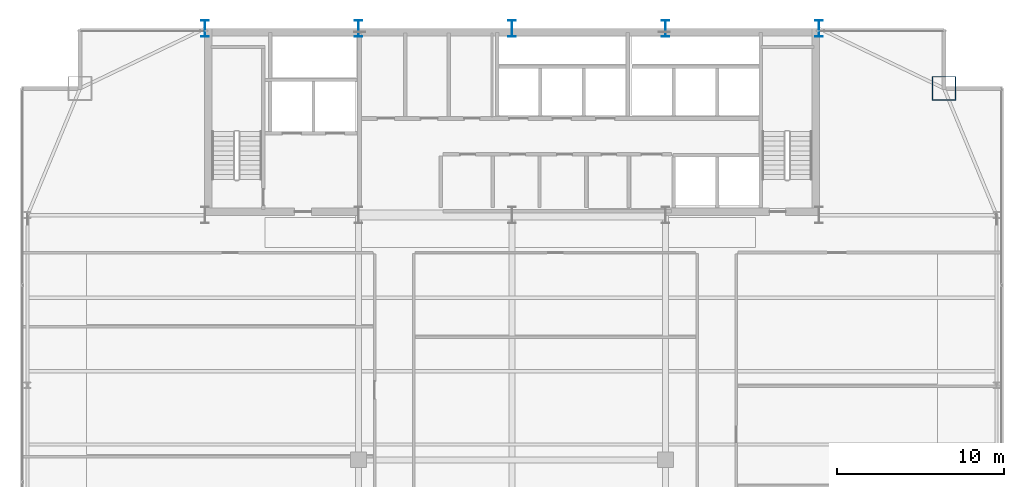
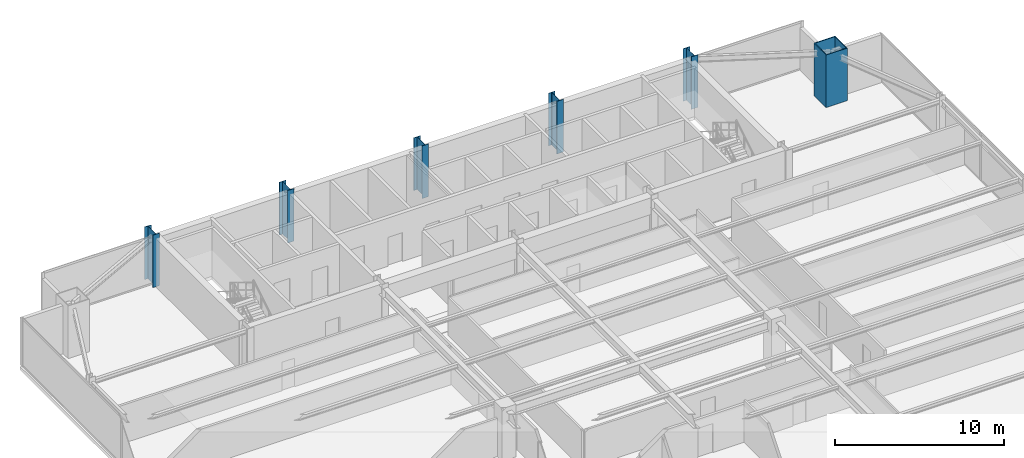
# One storey, part 3 of 33: 6 columns.
"""IFC4 building model written with IfcOpenShell, lengths in metres."""

import ifcopenshell
import ifcopenshell.guid

model = None  # the IFC model being written
_history = None  # IfcOwnerHistory: only IFC2X3 demands one
_inside = {}  # id of a spatial element -> (the spatial element, [elements in it])
_under = {}  # id of a project, library or spatial element -> (it, [spatial elements below it])
_declared = {}  # id of a project -> (the project, [libraries it declares])
_typed = {}  # id of a type object -> (the type object, [elements of that type])
_made_of = {}  # id of a material, layer set ... -> (it, [elements and type objects made of it])


def new_model(schema):
    """Start an empty IFC model of exactly this schema.

    Asked for "IFC4X3", IfcOpenShell would pick the latest addendum, in which some entities
    have other attributes; the version numbers below select the first issue.
    IFC2X3 requires an IfcOwnerHistory on every rooted entity: one is made here for all.
    """
    global model, _history
    if schema == "IFC4X3":
        model = ifcopenshell.file(schema_version=(4, 3, 0, 0))
    else:
        model = ifcopenshell.file(schema=schema)
    _inside.clear()
    _under.clear()
    _declared.clear()
    _typed.clear()
    _made_of.clear()
    _history = None
    if model.schema == "IFC2X3":
        org = make("IfcOrganization", Name="unknown")
        user = make(
            "IfcPersonAndOrganization",
            ThePerson=make("IfcPerson", FamilyName="unknown"),
            TheOrganization=org,
        )
        app = make(
            "IfcApplication",
            ApplicationDeveloper=org,
            Version="unknown",
            ApplicationFullName="unknown",
            ApplicationIdentifier="unknown",
        )
        _history = make(
            "IfcOwnerHistory",
            OwningUser=user,
            OwningApplication=app,
            ChangeAction="ADDED",
            CreationDate=0,
        )
    return model


def make(cls, **values):
    """One entity of the class cls with the attributes given. An attribute that is None is left unset."""
    return model.create_entity(
        cls, **{name: value for name, value in values.items() if value is not None}
    )


def rooted(cls, **values):
    """An entity with a GlobalId (a new one), such as an element, a storey or a relation."""
    return make(cls, GlobalId=ifcopenshell.guid.new(), OwnerHistory=_history, **values)


def si_unit(unit_type, name, prefix=None):
    """IfcSIUnit, for example si_unit("LENGTHUNIT", "METRE", prefix="MILLI")."""
    return make("IfcSIUnit", UnitType=unit_type, Prefix=prefix, Name=name)


def assignment(units):
    """IfcUnitAssignment: the units of a project."""
    return None if units is None else make("IfcUnitAssignment", Units=units)


def point(xyz):
    """IfcCartesianPoint."""
    return None if xyz is None else make("IfcCartesianPoint", Coordinates=xyz)


def direction(xyz):
    """IfcDirection."""
    return None if xyz is None else make("IfcDirection", DirectionRatios=xyz)


def frame(location, z_axis=None, x_axis=None):
    """IfcAxis2Placement3D, a coordinate frame: its origin and axes. An axis left out is left unset."""
    return make(
        "IfcAxis2Placement3D",
        Location=point(location),
        Axis=direction(z_axis),
        RefDirection=direction(x_axis),
    )


def frame_2d(location, x_axis=None):
    """IfcAxis2Placement2D, a coordinate frame in the plane: its origin and x axis."""
    return make(
        "IfcAxis2Placement2D", Location=point(location), RefDirection=direction(x_axis)
    )


def origin():
    """The frame at (0, 0, 0) with its axes left unset."""
    return frame((0.0, 0.0, 0.0))


def origin_2d():
    """The frame at (0, 0) in the plane with its x axis left unset."""
    return frame_2d((0.0, 0.0))


def place(relative_to, where):
    """IfcLocalPlacement: puts the frame where relative to a parent placement (None: the world)."""
    return make(
        "IfcLocalPlacement", PlacementRelTo=relative_to, RelativePlacement=where
    )


def context(
    kind, dimensions, precision=None, world=None, true_north=None, identifier=None
):
    """IfcGeometricRepresentationContext, for example the 3D "Model" context."""
    return make(
        "IfcGeometricRepresentationContext",
        ContextIdentifier=identifier,
        ContextType=kind,
        CoordinateSpaceDimension=dimensions,
        Precision=precision,
        WorldCoordinateSystem=world,
        TrueNorth=true_north,
    )


def subcontext(parent, identifier, kind, view, scale=None):
    """IfcGeometricRepresentationSubContext, for example "Body" below "Model"."""
    return make(
        "IfcGeometricRepresentationSubContext",
        ContextIdentifier=identifier,
        ContextType=kind,
        ParentContext=parent,
        TargetScale=scale,
        TargetView=view,
    )


def project(units=None, contexts=None):
    """IfcProject with its units and contexts."""
    return rooted(
        "IfcProject",
        Name="project",
        RepresentationContexts=contexts,
        UnitsInContext=assignment(units),
    )


def spatial(cls, under=None, at=None, **own):
    """A site, building, storey or space (cls), placed at a placement, below another one or the project."""
    s = rooted(cls, ObjectPlacement=at, **own)
    if under is not None:
        _under.setdefault(under.id(), (under, []))[1].append(s)
    return s


def profile(cls, at=None, kind="AREA", **sizes):
    """A parametric profile (cls). Its sizes go by their IFC names, for example OverallWidth=200.0."""
    return make(cls, ProfileType=kind, Position=at, **sizes)


def hollow_rectangle(**sizes):
    """IfcRectangleHollowProfileDef."""
    return profile("IfcRectangleHollowProfileDef", **sizes)


def i_section(**sizes):
    """IfcIShapeProfileDef."""
    return profile("IfcIShapeProfileDef", **sizes)


def extrude(swept, where, along, depth):
    """IfcExtrudedAreaSolid: the profile swept, set in the frame where, extruded along a direction by depth."""
    return make(
        "IfcExtrudedAreaSolid",
        SweptArea=swept,
        Position=where,
        ExtrudedDirection=direction(along),
        Depth=depth,
    )


def shape(context_of_items, identifier, shape_type, items):
    """IfcShapeRepresentation: the items that make up one representation, for example the "Body"."""
    return make(
        "IfcShapeRepresentation",
        ContextOfItems=context_of_items,
        RepresentationIdentifier=identifier,
        RepresentationType=shape_type,
        Items=items,
    )


def source(mapping_origin, context_of_items, identifier, shape_type, items):
    """IfcRepresentationMap: a shape defined once, which mapped items show again and again."""
    return make(
        "IfcRepresentationMap",
        MappingOrigin=mapping_origin,
        MappedRepresentation=shape(context_of_items, identifier, shape_type, items),
    )


def transform(
    local_origin,
    x_axis=None,
    y_axis=None,
    z_axis=None,
    scale=None,
    scale2=None,
    scale3=None,
    uniform=True,
):
    """IfcCartesianTransformationOperator3D, or its non-uniform kind. x_axis, y_axis, z_axis: its Axis1, 2, 3."""
    if uniform:
        return make(
            "IfcCartesianTransformationOperator3D",
            Axis1=direction(x_axis),
            Axis2=direction(y_axis),
            LocalOrigin=point(local_origin),
            Scale=scale,
            Axis3=direction(z_axis),
        )
    return make(
        "IfcCartesianTransformationOperator3DnonUniform",
        Axis1=direction(x_axis),
        Axis2=direction(y_axis),
        LocalOrigin=point(local_origin),
        Scale=scale,
        Axis3=direction(z_axis),
        Scale2=scale2,
        Scale3=scale3,
    )


def mapped(mapping_source, mapping_target):
    """IfcMappedItem: shows the shape of a source again, moved by a transform."""
    return make(
        "IfcMappedItem", MappingSource=mapping_source, MappingTarget=mapping_target
    )


def material(Name=None, Category=None):
    """IfcMaterial."""
    return make("IfcMaterial", Name=Name, Category=Category)


def material_profile(
    of_material, cross_section, Name=None, Category=None, Priority=None
):
    """IfcMaterialProfile: a cross section and its material."""
    return make(
        "IfcMaterialProfile",
        Name=Name,
        Material=of_material,
        Profile=cross_section,
        Priority=Priority,
        Category=Category,
    )


def profile_set(profiles, Name=None, composite=None):
    """IfcMaterialProfileSet."""
    return make(
        "IfcMaterialProfileSet",
        Name=Name,
        MaterialProfiles=profiles,
        CompositeProfile=composite,
    )


def made_of(thing, what):
    """Note that an element or type object is made of a material, layer set ...; save() writes the relation."""
    if what is not None:
        _made_of.setdefault(what.id(), (what, []))[1].append(thing)
    return thing


def type_object(cls, material=None, **own):
    """A type object (cls), such as IfcWallType, which elements share."""
    return made_of(rooted(cls, **own), material)


def type_shapes(of_type, sources):
    """Give a type object the sources (RepresentationMaps) that its elements show as mapped items."""
    of_type.RepresentationMaps = sources


def element(
    cls,
    number,
    at=None,
    inside=None,
    cuts=None,
    type_object=None,
    material=None,
    context=None,
    identifier="Body",
    shape_type=None,
    held_by="IfcProductDefinitionShape",
    body=None,
    shapes=None,
    **own,
):
    """One element of the class cls, such as IfcWall. Its Tag is "e" and its number.

    at: its placement. inside: the storey or other place that contains it. cuts: it is an
    opening in that element (IfcRelVoidsElement). A single representation is given by context,
    identifier, shape_type and body (its items); several are given by shapes. held_by: the class
    of the entity that holds the representations. save() writes the other relations.
    """
    e = rooted(cls, Tag="e%d" % number, ObjectPlacement=at, **own)
    if body is not None:
        shapes = [shape(context, identifier, shape_type, body)]
    if shapes is not None:
        e.Representation = make(held_by, Representations=shapes)
    if inside is not None:
        _inside.setdefault(inside.id(), (inside, []))[1].append(e)
    if cuts is not None:
        rooted(
            "IfcRelVoidsElement", RelatingBuildingElement=cuts, RelatedOpeningElement=e
        )
    if type_object is not None:
        _typed.setdefault(type_object.id(), (type_object, []))[1].append(e)
    return made_of(e, material)


def aggregate(whole, parts):
    """IfcRelAggregates: a whole, such as a stair, and the parts it consists of."""
    return rooted("IfcRelAggregates", RelatingObject=whole, RelatedObjects=parts)


def save(model, path):
    """Write the relations noted so far, then the file.

    IfcRelAggregates (storeys below a building ...), IfcRelContainedInSpatialStructure (elements
    in a storey), IfcRelDefinesByType, IfcRelAssociatesMaterial and IfcRelDeclares: one each for
    every whole, place, type object, material and project.
    """
    for whole, parts in _under.values():
        aggregate(whole, parts)
    for where, things in _inside.values():
        rooted(
            "IfcRelContainedInSpatialStructure",
            RelatedElements=things,
            RelatingStructure=where,
        )
    for kind, things in _typed.values():
        rooted("IfcRelDefinesByType", RelatedObjects=things, RelatingType=kind)
    for what, things in _made_of.values():
        rooted("IfcRelAssociatesMaterial", RelatedObjects=things, RelatingMaterial=what)
    for by, libraries in _declared.values():
        rooted("IfcRelDeclares", RelatingContext=by, RelatedDefinitions=libraries)
    model.write(path)


model = new_model("IFC4")

# Units and contexts
model_context = context("Model", 3, precision=1e-05, world=origin(), true_north=direction((0.0, 1.0)))
body_context = subcontext(model_context, "Body", "Model", "MODEL_VIEW")
ifc_project = project(units=[si_unit("LENGTHUNIT", "METRE"), si_unit("AREAUNIT", "SQUARE_METRE"), si_unit("VOLUMEUNIT", "CUBIC_METRE"), si_unit("PLANEANGLEUNIT", "RADIAN"), si_unit("MASSUNIT", "GRAM", prefix="KILO")], contexts=[model_context])

# Site, building, storey
site_placement = place(None, origin())
site = spatial("IfcSite", under=ifc_project, at=site_placement, CompositionType="ELEMENT")
building_placement = place(site_placement, origin())
building = spatial("IfcBuilding", under=site, at=building_placement, Name="Varnel Quay Broadcast Tower", CompositionType="ELEMENT")
storey_placement = place(building_placement, frame((0.0, 0.0, 137.199951171875)))
storey = spatial("IfcBuildingStorey", under=building, at=storey_placement, Name="L33", CompositionType="ELEMENT", Elevation=137.199951171875)

# Columns
ifc_material = material(Name="Structural Steel CSA G40.21 350WT", Category="steel")
ifc_material_profile_1 = material_profile(ifc_material, i_section(OverallWidth=0.449951171875, OverallDepth=1.0, WebThickness=0.01611328125, FlangeThickness=0.030029296875, FilletRadius=0.01611328125, at=origin_2d()), Name="WWF1000X362")
ifc_profile_set_1 = profile_set([ifc_material_profile_1], Name="Structural Steel CSA G40.21 350WT")
column_type_1 = type_object("IfcColumnType", Name="Col_WWF1000X362", PredefinedType="COLUMN", material=ifc_profile_set_1)
shared_shape_1 = source(origin(), body_context, "Body", "SweptSolid", [
    extrude(i_section(OverallWidth=0.449951171875, OverallDepth=1.0, WebThickness=0.01611328125, FlangeThickness=0.030029296875, FilletRadius=0.01611328125, at=origin_2d()), origin(), (0.0, 0.0, 1.0), 3.800048828125),
])
type_shapes(column_type_1, [shared_shape_1])
for number, where, z_axis, x_axis, name in (
    (1, (15.60009765625, 46.800048828125, 0.0), (0.0, 0.0, 1.0), (1.0, 0.0, 0.0), "L33 Column CC-N1"),
    (2, (24.800048828125, 46.800048828125, 0.0), (0.0, 0.0, 1.0), (1.0, 0.0, 0.0), "L33 Column CC-N2"),
    (3, (34.0, 46.800048828125, 0.0), (0.0, 0.0, 1.0), (1.0, 0.0, 0.0), "L33 Column CC-N3"),
    (4, (43.199951171875, 46.800048828125, 0.0), (0.0, 0.0, 1.0), (1.0, 0.0, 0.0), "L33 Column CC-N4"),
    (5, (52.39990234375, 46.800048828125, 0.0), (0.0, 0.0, 1.0), (1.0, 0.0, 0.0), "L33 Column CC-N5"),
):
    element("IfcColumn", number, at=place(storey_placement, frame(where, z_axis=z_axis, x_axis=x_axis)), inside=storey, type_object=column_type_1, Name=name, PredefinedType="COLUMN", context=body_context, shape_type="MappedRepresentation", body=[
        mapped(shared_shape_1, transform((0.0, 0.0, 0.0), x_axis=(1.0, 0.0, 0.0), y_axis=(0.0, 1.0, 0.0), z_axis=(0.0, 0.0, 1.0), scale=1.0)),
    ])
ifc_material_profile_2 = material_profile(ifc_material, hollow_rectangle(XDim=1.449951171875, YDim=1.449951171875, WallThickness=0.054931640625, at=origin_2d()), Name="BOX1450X1450X55")
ifc_profile_set_2 = profile_set([ifc_material_profile_2], Name="Structural Steel CSA G40.21 350WT")
column_type_2 = type_object("IfcColumnType", Name="Col_BOX1450X1450X55", PredefinedType="COLUMN", material=ifc_profile_set_2)
shared_shape_2 = source(origin(), body_context, "Body", "SweptSolid", [
    extrude(hollow_rectangle(XDim=1.449951171875, YDim=1.449951171875, WallThickness=0.054931640625, at=origin_2d()), origin(), (0.0, 0.0, 1.0), 3.800048828125),
])
type_shapes(column_type_2, [shared_shape_2])
column_placement = place(storey_placement, frame((59.89990234375, 43.199951171875, 0.0), z_axis=(0.0, 0.0, 1.0), x_axis=(1.0, 0.0, 0.0)))
element("IfcColumn", 6, at=column_placement, inside=storey, type_object=column_type_2, Name="L33 Column MC-NE", PredefinedType="COLUMN", context=body_context, shape_type="MappedRepresentation", body=[
    mapped(shared_shape_2, transform((0.0, 0.0, 0.0), x_axis=(1.0, 0.0, 0.0), y_axis=(0.0, 1.0, 0.0), z_axis=(0.0, 0.0, 1.0), scale=1.0)),
])

save(model, "model.ifc")
